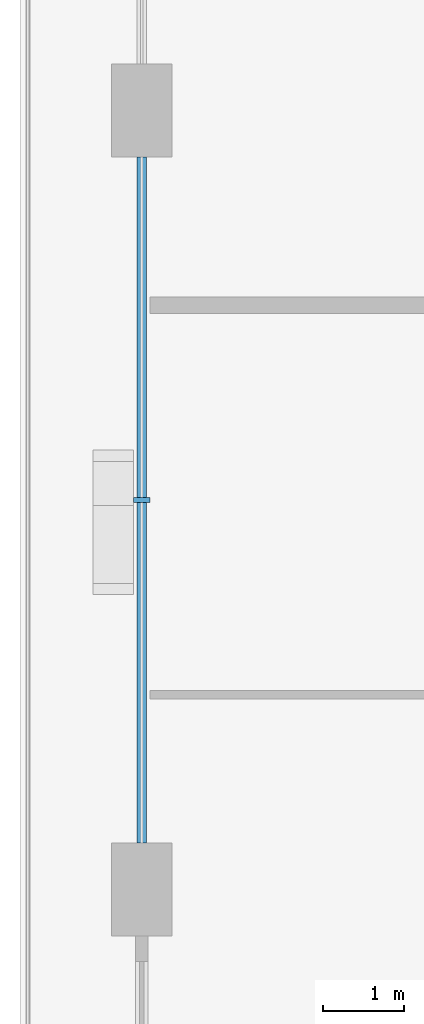
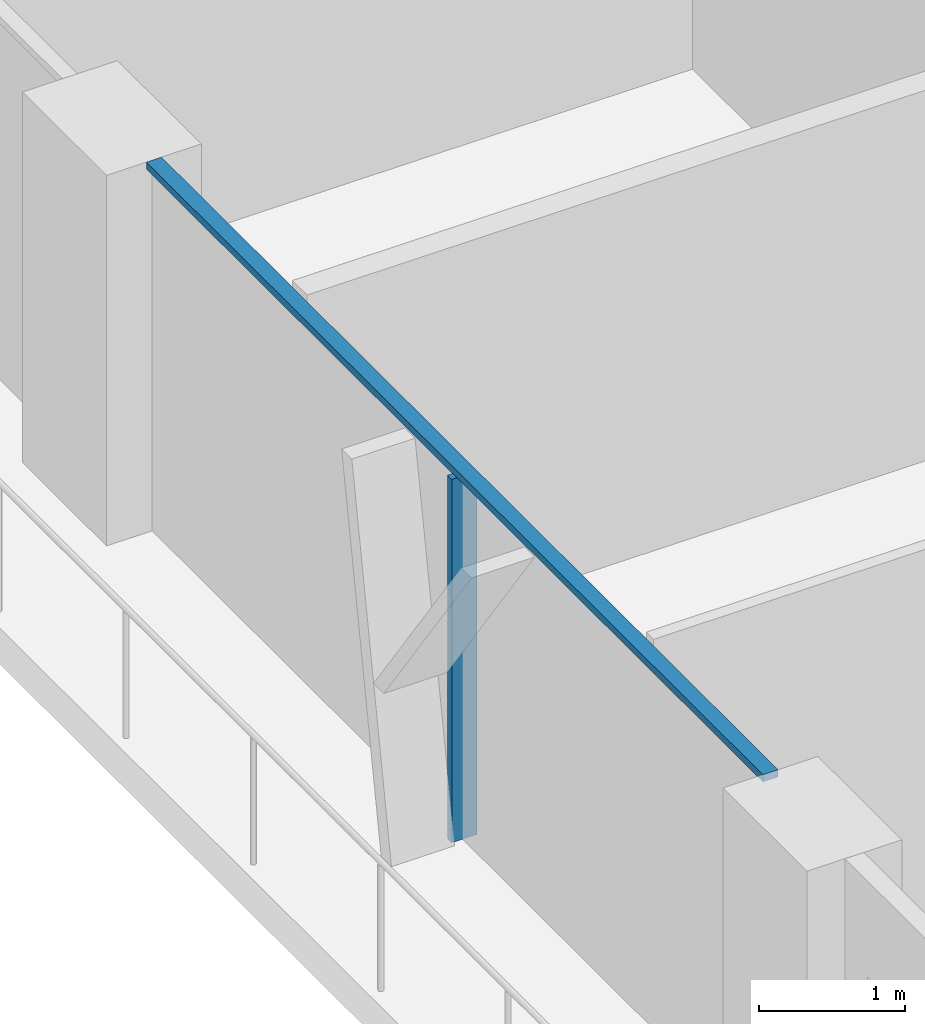
# One storey, part 3 of 22: 2 members, 1 element without a shape of its own.
"""IFC4 building model written with IfcOpenShell, lengths in metres."""

from ifc_helpers import new_model, si_unit, direction, frame, origin, origin_2d, place, context, subcontext, project, spatial, rectangle, extrude, material, layer, layer_set, material_profile, profile_set, type_object, element, aggregate, save


model = new_model("IFC4")

# Units and contexts
model_context = context("Model", 3, precision=1e-05, world=origin(), true_north=direction((0.0, 1.0)))
body_context = subcontext(model_context, "Body", "Model", "MODEL_VIEW")
ifc_project = project(units=[si_unit("LENGTHUNIT", "METRE"), si_unit("AREAUNIT", "SQUARE_METRE"), si_unit("VOLUMEUNIT", "CUBIC_METRE"), si_unit("PLANEANGLEUNIT", "RADIAN"), si_unit("MASSUNIT", "GRAM", prefix="KILO")], contexts=[model_context])

# Site, building, storey
site_placement = place(None, origin())
site = spatial("IfcSite", under=ifc_project, at=site_placement, CompositionType="ELEMENT")
building_placement = place(site_placement, origin())
building = spatial("IfcBuilding", under=site, at=building_placement, Name="Madar Terraces", CompositionType="ELEMENT")
storey_placement = place(building_placement, frame((0.0, 0.0, 170.0)))
storey = spatial("IfcBuildingStorey", under=building, at=storey_placement, Name="L44", CompositionType="ELEMENT", Elevation=170.0)

# Curtain wall, members
ifc_material_1 = material(Name="Glass, ceramic frit dark grey, with black aluminium frame", Category="aluminium")
ifc_layer = layer(ifc_material_1, 0.199951171875)
ifc_layer_set = layer_set([ifc_layer], Name="Facade curtain wall, fritted glass")
curtain_wall_type = type_object("IfcCurtainWallType", Name="Facade curtain wall, fritted glass", PredefinedType="NOTDEFINED", material=ifc_layer_set)
curtain_wall_placement = place(storey_placement, origin())
curtain_wall = element("IfcCurtainWall", 1, at=curtain_wall_placement, inside=storey, type_object=curtain_wall_type, Name="Outer skin curtain wall west bay 2", PredefinedType="NOTDEFINED")
ifc_material_2 = material(Name="Aluminium, black anodised", Category="aluminium")
ifc_material_profile_1 = material_profile(ifc_material_2, rectangle(XDim=0.199951171875, YDim=0.06005859375, at=origin_2d()), Name="Facade mullion 60x200")
ifc_profile_set_1 = profile_set([ifc_material_profile_1], Name="Aluminium, black anodised")
member_type_1 = type_object("IfcMemberType", Name="Facade mullion 60x200", PredefinedType="MULLION", material=ifc_profile_set_1)
member_1_placement = place(storey_placement, frame((0.0, 28.800048828125, 0.0), z_axis=(0.0, 0.0, 1.0), x_axis=(1.0, 0.0, 0.0)))
member_1 = element("IfcMember", 2, at=member_1_placement, type_object=member_type_1, Name="Mullion 1", PredefinedType="MULLION", context=body_context, shape_type="SweptSolid", body=[
    extrude(rectangle(XDim=0.199951171875, YDim=0.06005859375, at=origin_2d()), origin(), (0.0, 0.0, 1.0), 3.0400390625),
])
ifc_material_3 = material(Name="Aluminium, black anodised", Category="aluminium")
ifc_material_profile_2 = material_profile(ifc_material_3, rectangle(XDim=0.1201171875, YDim=0.06005859375, at=origin_2d()), Name="Facade transom 60x120")
ifc_profile_set_2 = profile_set([ifc_material_profile_2], Name="Aluminium, black anodised")
member_type_2 = type_object("IfcMemberType", Name="Facade transom 60x120", PredefinedType="USERDEFINED", material=ifc_profile_set_2)
member_2_placement = place(storey_placement, frame((0.0, 33.02490234375, 3.070068359375), z_axis=(0.0, -1.0, 0.0), x_axis=(1.0, 0.0, 0.0)))
member_2 = element("IfcMember", 3, at=member_2_placement, type_object=member_type_2, Name="Transom 1", ObjectType="TRANSOM", PredefinedType="USERDEFINED", context=body_context, shape_type="SweptSolid", body=[
    extrude(rectangle(XDim=0.1201171875, YDim=0.06005859375, at=origin_2d()), origin(), (0.0, 0.0, 1.0), 8.449951171875),
])
aggregate(curtain_wall, [member_1, member_2])

save(model, "model.ifc")
